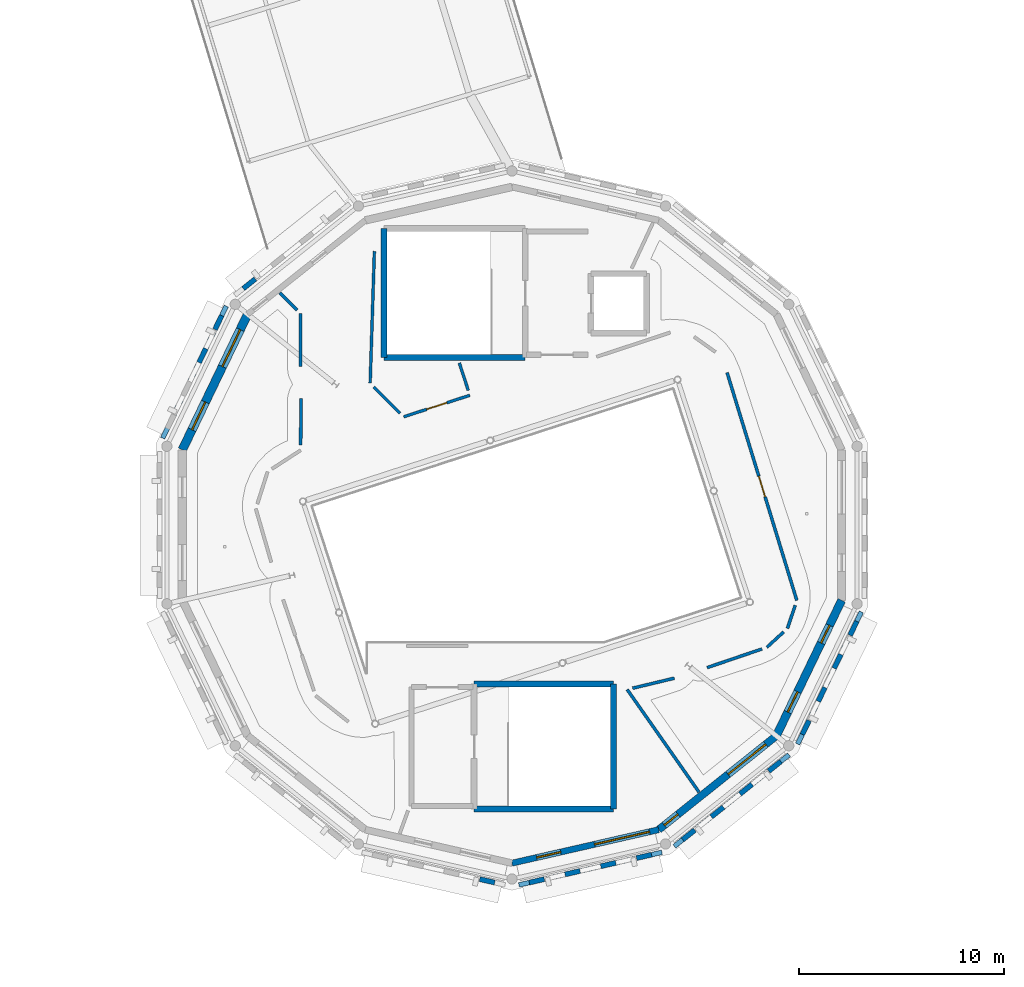
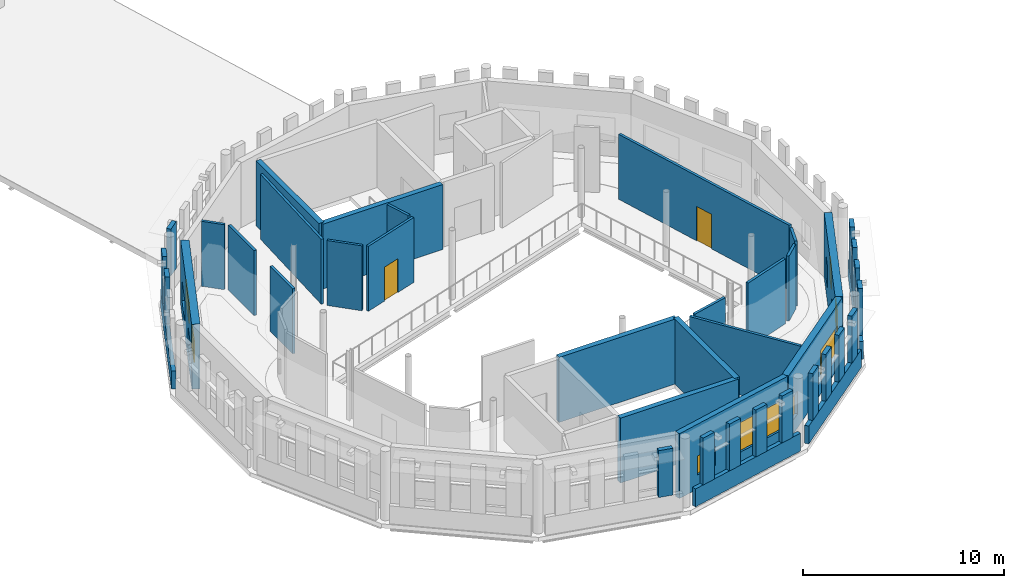
# One storey, part 36 of 68: 42 walls, 8 windows, 2 doors, 10 openings.
"""IFC4 building model written with IfcOpenShell, lengths in metres."""

import ifcopenshell
import ifcopenshell.guid

model = None  # the IFC model being written
_history = None  # IfcOwnerHistory: only IFC2X3 demands one
_inside = {}  # id of a spatial element -> (the spatial element, [elements in it])
_under = {}  # id of a project, library or spatial element -> (it, [spatial elements below it])
_declared = {}  # id of a project -> (the project, [libraries it declares])
_typed = {}  # id of a type object -> (the type object, [elements of that type])
_made_of = {}  # id of a material, layer set ... -> (it, [elements and type objects made of it])


def new_model(schema):
    """Start an empty IFC model of exactly this schema.

    Asked for "IFC4X3", IfcOpenShell would pick the latest addendum, in which some entities
    have other attributes; the version numbers below select the first issue.
    IFC2X3 requires an IfcOwnerHistory on every rooted entity: one is made here for all.
    """
    global model, _history
    if schema == "IFC4X3":
        model = ifcopenshell.file(schema_version=(4, 3, 0, 0))
    else:
        model = ifcopenshell.file(schema=schema)
    _inside.clear()
    _under.clear()
    _declared.clear()
    _typed.clear()
    _made_of.clear()
    _history = None
    if model.schema == "IFC2X3":
        org = make("IfcOrganization", Name="unknown")
        user = make(
            "IfcPersonAndOrganization",
            ThePerson=make("IfcPerson", FamilyName="unknown"),
            TheOrganization=org,
        )
        app = make(
            "IfcApplication",
            ApplicationDeveloper=org,
            Version="unknown",
            ApplicationFullName="unknown",
            ApplicationIdentifier="unknown",
        )
        _history = make(
            "IfcOwnerHistory",
            OwningUser=user,
            OwningApplication=app,
            ChangeAction="ADDED",
            CreationDate=0,
        )
    return model


def make(cls, **values):
    """One entity of the class cls with the attributes given. An attribute that is None is left unset."""
    return model.create_entity(
        cls, **{name: value for name, value in values.items() if value is not None}
    )


def rooted(cls, **values):
    """An entity with a GlobalId (a new one), such as an element, a storey or a relation."""
    return make(cls, GlobalId=ifcopenshell.guid.new(), OwnerHistory=_history, **values)


def si_unit(unit_type, name, prefix=None):
    """IfcSIUnit, for example si_unit("LENGTHUNIT", "METRE", prefix="MILLI")."""
    return make("IfcSIUnit", UnitType=unit_type, Prefix=prefix, Name=name)


def assignment(units):
    """IfcUnitAssignment: the units of a project."""
    return None if units is None else make("IfcUnitAssignment", Units=units)


def point(xyz):
    """IfcCartesianPoint."""
    return None if xyz is None else make("IfcCartesianPoint", Coordinates=xyz)


def direction(xyz):
    """IfcDirection."""
    return None if xyz is None else make("IfcDirection", DirectionRatios=xyz)


def frame(location, z_axis=None, x_axis=None):
    """IfcAxis2Placement3D, a coordinate frame: its origin and axes. An axis left out is left unset."""
    return make(
        "IfcAxis2Placement3D",
        Location=point(location),
        Axis=direction(z_axis),
        RefDirection=direction(x_axis),
    )


def frame_2d(location, x_axis=None):
    """IfcAxis2Placement2D, a coordinate frame in the plane: its origin and x axis."""
    return make(
        "IfcAxis2Placement2D", Location=point(location), RefDirection=direction(x_axis)
    )


def origin():
    """The frame at (0, 0, 0) with its axes left unset."""
    return frame((0.0, 0.0, 0.0))


def place(relative_to, where):
    """IfcLocalPlacement: puts the frame where relative to a parent placement (None: the world)."""
    return make(
        "IfcLocalPlacement", PlacementRelTo=relative_to, RelativePlacement=where
    )


def context(
    kind, dimensions, precision=None, world=None, true_north=None, identifier=None
):
    """IfcGeometricRepresentationContext, for example the 3D "Model" context."""
    return make(
        "IfcGeometricRepresentationContext",
        ContextIdentifier=identifier,
        ContextType=kind,
        CoordinateSpaceDimension=dimensions,
        Precision=precision,
        WorldCoordinateSystem=world,
        TrueNorth=true_north,
    )


def subcontext(parent, identifier, kind, view, scale=None):
    """IfcGeometricRepresentationSubContext, for example "Body" below "Model"."""
    return make(
        "IfcGeometricRepresentationSubContext",
        ContextIdentifier=identifier,
        ContextType=kind,
        ParentContext=parent,
        TargetScale=scale,
        TargetView=view,
    )


def project(units=None, contexts=None):
    """IfcProject with its units and contexts."""
    return rooted(
        "IfcProject",
        Name="project",
        RepresentationContexts=contexts,
        UnitsInContext=assignment(units),
    )


def spatial(cls, under=None, at=None, **own):
    """A site, building, storey or space (cls), placed at a placement, below another one or the project."""
    s = rooted(cls, ObjectPlacement=at, **own)
    if under is not None:
        _under.setdefault(under.id(), (under, []))[1].append(s)
    return s


def profile(cls, at=None, kind="AREA", **sizes):
    """A parametric profile (cls). Its sizes go by their IFC names, for example OverallWidth=200.0."""
    return make(cls, ProfileType=kind, Position=at, **sizes)


def rectangle(**sizes):
    """IfcRectangleProfileDef."""
    return profile("IfcRectangleProfileDef", **sizes)


def extrude(swept, where, along, depth):
    """IfcExtrudedAreaSolid: the profile swept, set in the frame where, extruded along a direction by depth."""
    return make(
        "IfcExtrudedAreaSolid",
        SweptArea=swept,
        Position=where,
        ExtrudedDirection=direction(along),
        Depth=depth,
    )


def shape(context_of_items, identifier, shape_type, items):
    """IfcShapeRepresentation: the items that make up one representation, for example the "Body"."""
    return make(
        "IfcShapeRepresentation",
        ContextOfItems=context_of_items,
        RepresentationIdentifier=identifier,
        RepresentationType=shape_type,
        Items=items,
    )


def material(Name=None, Category=None):
    """IfcMaterial."""
    return make("IfcMaterial", Name=Name, Category=Category)


def layer(
    of_material, thickness, ventilated=None, Name=None, Category=None, Priority=None
):
    """IfcMaterialLayer: one layer of a wall or slab, of a material (None: an air gap)."""
    return make(
        "IfcMaterialLayer",
        Material=of_material,
        LayerThickness=thickness,
        IsVentilated=ventilated,
        Name=Name,
        Category=Category,
        Priority=Priority,
    )


def layer_set(layers, Name=None):
    """IfcMaterialLayerSet."""
    return make("IfcMaterialLayerSet", MaterialLayers=layers, LayerSetName=Name)


def made_of(thing, what):
    """Note that an element or type object is made of a material, layer set ...; save() writes the relation."""
    if what is not None:
        _made_of.setdefault(what.id(), (what, []))[1].append(thing)
    return thing


def type_object(cls, material=None, **own):
    """A type object (cls), such as IfcWallType, which elements share."""
    return made_of(rooted(cls, **own), material)


def element(
    cls,
    number,
    at=None,
    inside=None,
    cuts=None,
    type_object=None,
    material=None,
    context=None,
    identifier="Body",
    shape_type=None,
    held_by="IfcProductDefinitionShape",
    body=None,
    shapes=None,
    **own,
):
    """One element of the class cls, such as IfcWall. Its Tag is "e" and its number.

    at: its placement. inside: the storey or other place that contains it. cuts: it is an
    opening in that element (IfcRelVoidsElement). A single representation is given by context,
    identifier, shape_type and body (its items); several are given by shapes. held_by: the class
    of the entity that holds the representations. save() writes the other relations.
    """
    e = rooted(cls, Tag="e%d" % number, ObjectPlacement=at, **own)
    if body is not None:
        shapes = [shape(context, identifier, shape_type, body)]
    if shapes is not None:
        e.Representation = make(held_by, Representations=shapes)
    if inside is not None:
        _inside.setdefault(inside.id(), (inside, []))[1].append(e)
    if cuts is not None:
        rooted(
            "IfcRelVoidsElement", RelatingBuildingElement=cuts, RelatedOpeningElement=e
        )
    if type_object is not None:
        _typed.setdefault(type_object.id(), (type_object, []))[1].append(e)
    return made_of(e, material)


def fill(opening, filler):
    """IfcRelFillsElement: the door or window that sits in an opening."""
    return rooted(
        "IfcRelFillsElement",
        RelatingOpeningElement=opening,
        RelatedBuildingElement=filler,
    )


def aggregate(whole, parts):
    """IfcRelAggregates: a whole, such as a stair, and the parts it consists of."""
    return rooted("IfcRelAggregates", RelatingObject=whole, RelatedObjects=parts)


def save(model, path):
    """Write the relations noted so far, then the file.

    IfcRelAggregates (storeys below a building ...), IfcRelContainedInSpatialStructure (elements
    in a storey), IfcRelDefinesByType, IfcRelAssociatesMaterial and IfcRelDeclares: one each for
    every whole, place, type object, material and project.
    """
    for whole, parts in _under.values():
        aggregate(whole, parts)
    for where, things in _inside.values():
        rooted(
            "IfcRelContainedInSpatialStructure",
            RelatedElements=things,
            RelatingStructure=where,
        )
    for kind, things in _typed.values():
        rooted("IfcRelDefinesByType", RelatedObjects=things, RelatingType=kind)
    for what, things in _made_of.values():
        rooted("IfcRelAssociatesMaterial", RelatedObjects=things, RelatingMaterial=what)
    for by, libraries in _declared.values():
        rooted("IfcRelDeclares", RelatingContext=by, RelatedDefinitions=libraries)
    model.write(path)


model = new_model("IFC4")

# Units and contexts
model_context = context("Model", 3, precision=1e-05, world=origin(), true_north=direction((0.0, 1.0)))
body_context = subcontext(model_context, "Body", "Model", "MODEL_VIEW")
ifc_project = project(units=[si_unit("LENGTHUNIT", "METRE"), si_unit("AREAUNIT", "SQUARE_METRE"), si_unit("VOLUMEUNIT", "CUBIC_METRE"), si_unit("PLANEANGLEUNIT", "RADIAN"), si_unit("MASSUNIT", "GRAM", prefix="KILO")], contexts=[model_context])

# Site, building, storey
site_placement = place(None, origin())
site = spatial("IfcSite", under=ifc_project, at=site_placement, CompositionType="ELEMENT")
building_placement = place(site_placement, origin())
building = spatial("IfcBuilding", under=site, at=building_placement, Name="Wrenclough Park School", CompositionType="ELEMENT")
storey_placement = place(building_placement, frame((0.0, 0.0, 12.60009765625)))
storey = spatial("IfcBuildingStorey", under=building, at=storey_placement, Name="L03", CompositionType="ELEMENT", Elevation=12.60009765625)

# Walls
ifc_material_1 = material(Name="Perforated open-bond Staffordshire and Manchester brick screen pier", Category="masonry")
ifc_layer_1 = layer(ifc_material_1, 0.2451171875)
ifc_layer_set_1 = layer_set([ifc_layer_1], Name="Perforated open-bond Staffordshire and Manchester brick screen pier")
wall_type_1 = type_object("IfcWallType", Name="ENV-BS-PR245", PredefinedType="ELEMENTEDWALL", material=ifc_layer_set_1)
for number, where, z_axis, x_axis, name in (
    (1, (23.98974609375, 35.489501953125, 1.08984375), (0.0, 0.0, 1.0), (-0.781915748527, -0.623384120912, 0.0), "D2 L03 perforated brick screen pier 0722"),
    (2, (22.352294921875, 33.70361328125, 1.08984375), (0.0, 0.0, 1.0), (-0.433619849257, -0.90109590296, 0.0), "D2 L03 perforated brick screen pier 0723"),
    (3, (21.5771484375, 32.093994140625, 1.08984375), (0.0, 0.0, 1.0), (-0.433884123593, -0.900968682749, 0.0), "D2 L03 perforated brick screen pier 0724"),
    (4, (34.92578125, 6.243896484375, 1.08984375), (0.0, 0.0, 1.0), (0.974969505796, -0.222338621856, 0.0), "D2 L03 perforated brick screen pier 0742"),
    (5, (37.343017578125, 6.076904296875, 1.08984375), (0.0, 0.0, 1.0), (0.974898895053, 0.222648028119, 0.0), "D2 L03 perforated brick screen pier 0743"),
    (6, (39.084716796875, 6.474609375, 1.08984375), (0.0, 0.0, 1.0), (0.974898895053, 0.222648028119, 0.0), "D2 L03 perforated brick screen pier 0744"),
    (7, (40.82666015625, 6.8720703125, 1.08984375), (0.0, 0.0, 1.0), (0.974898895053, 0.222648028119, 0.0), "D2 L03 perforated brick screen pier 0745"),
    (8, (42.568359375, 7.269775390625, 1.08984375), (0.0, 0.0, 1.0), (0.974969505796, 0.222338621856, 0.0), "D2 L03 perforated brick screen pier 0746"),
):
    element("IfcWall", number, at=place(storey_placement, frame(where, z_axis=z_axis, x_axis=x_axis)), inside=storey, type_object=wall_type_1, Name=name, PredefinedType="ELEMENTEDWALL", context=body_context, shape_type="SweptSolid", body=[
        extrude(rectangle(XDim=0.75, YDim=0.2451171875, at=frame_2d((0.375, 0.0))), origin(), (0.0, 0.0, 1.0), 2.85009765625),
    ])
for number, where, z_axis, x_axis, name in (
    (9, (44.818359375, 8.16748046875, 1.08984375), (0.0, 0.0, 1.0), (0.781819359776, 0.623505002931, 0.0), "D2 L03 perforated brick screen pier 0747"),
    (10, (46.215576171875, 9.28173828125, 1.08984375), (0.0, 0.0, 1.0), (0.781819359776, 0.623505002931, 0.0), "D2 L03 perforated brick screen pier 0748"),
    (11, (47.612548828125, 10.39599609375, 1.08984375), (0.0, 0.0, 1.0), (0.781819359776, 0.623505002931, 0.0), "D2 L03 perforated brick screen pier 0749"),
    (12, (49.009765625, 11.510009765625, 1.08984375), (0.0, 0.0, 1.0), (0.781819359776, 0.623505002931, 0.0), "D2 L03 perforated brick screen pier 0750"),
):
    element("IfcWall", number, at=place(storey_placement, frame(where, z_axis=z_axis, x_axis=x_axis)), inside=storey, type_object=wall_type_1, Name=name, PredefinedType="ELEMENTEDWALL", context=body_context, shape_type="SweptSolid", body=[
        extrude(rectangle(XDim=0.7509765625, YDim=0.2451171875, at=frame_2d((0.37548828125, 0.0))), origin(), (0.0, 0.0, 1.0), 2.85009765625),
    ])
for number, where, z_axis, x_axis, name in (
    (13, (50.647705078125, 13.29638671875, 1.08984375), (0.0, 0.0, 1.0), (0.433619849257, 0.90109590296, 0.0), "D2 L03 perforated brick screen pier 0751"),
    (14, (51.4228515625, 14.90625, 1.08984375), (0.0, 0.0, 1.0), (0.433884123593, 0.900968682749, 0.0), "D2 L03 perforated brick screen pier 0752"),
    (15, (52.197998046875, 16.51611328125, 1.08984375), (0.0, 0.0, 1.0), (0.433884123593, 0.900968682749, 0.0), "D2 L03 perforated brick screen pier 0753"),
    (16, (52.973388671875, 18.1259765625, 1.08984375), (0.0, 0.0, 1.0), (0.433884123593, 0.900968682749, 0.0), "D2 L03 perforated brick screen pier 0754"),
):
    element("IfcWall", number, at=place(storey_placement, frame(where, z_axis=z_axis, x_axis=x_axis)), inside=storey, type_object=wall_type_1, Name=name, PredefinedType="ELEMENTEDWALL", context=body_context, shape_type="SweptSolid", body=[
        extrude(rectangle(XDim=0.75, YDim=0.2451171875, at=frame_2d((0.375, 0.0))), origin(), (0.0, 0.0, 1.0), 2.85009765625),
    ])
ifc_material_2 = material(Name="Open-bond Manchester multi-stock brick spandrel screen", Category="masonry")
ifc_layer_2 = layer(ifc_material_2, 0.22509765625)
ifc_layer_set_2 = layer_set([ifc_layer_2], Name="Open-bond Manchester multi-stock brick spandrel screen")
wall_type_2 = type_object("IfcWallType", Name="ENV-BS-SP225", PredefinedType="ELEMENTEDWALL", material=ifc_layer_set_2)
wall_1_placement = place(storey_placement, frame((22.577392578125, 34.170654296875, 0.0), z_axis=(0.0, 0.0, 1.0), x_axis=(-0.433882380434, -0.900969522209, 0.0)))
element("IfcWall", 17, at=wall_1_placement, inside=storey, type_object=wall_type_2, Name="D2 L03 open-bond brick screen spandrel 0194", PredefinedType="ELEMENTEDWALL", context=body_context, shape_type="SweptSolid", body=[
    extrude(rectangle(XDim=7.146728515625, YDim=0.22509765625, at=frame_2d((3.5732421875, 0.0))), origin(), (0.0, 0.0, 1.0), 1.08984375),
])
wall_2_placement = place(storey_placement, frame((36.837646484375, 5.961669921875, 0.0), z_axis=(0.0, 0.0, 1.0), x_axis=(0.974925038555, 0.222533523763, 0.0)))
element("IfcWall", 18, at=wall_2_placement, inside=storey, type_object=wall_type_2, Name="D2 L03 open-bond brick screen spandrel 0199", PredefinedType="ELEMENTEDWALL", context=body_context, shape_type="SweptSolid", body=[
    extrude(rectangle(XDim=7.146484375, YDim=0.22509765625, at=frame_2d((3.5732421875, 0.0))), origin(), (0.0, 0.0, 1.0), 1.08984375),
])
wall_3_placement = place(storey_placement, frame((44.413330078125, 7.844482421875, 0.0), z_axis=(0.0, 0.0, 1.0), x_axis=(0.781830872194, 0.623490567118, 0.0)))
element("IfcWall", 19, at=wall_3_placement, inside=storey, type_object=wall_type_2, Name="D2 L03 open-bond brick screen spandrel 0200", PredefinedType="ELEMENTEDWALL", context=body_context, shape_type="SweptSolid", body=[
    extrude(rectangle(XDim=7.148193359375, YDim=0.22509765625, at=frame_2d((3.57421875, 0.0))), origin(), (0.0, 0.0, 1.0), 1.08984375),
])
wall_4_placement = place(storey_placement, frame((50.422607421875, 12.829345703125, 0.0), z_axis=(0.0, 0.0, 1.0), x_axis=(0.433883402341, 0.900969030085, 0.0)))
element("IfcWall", 20, at=wall_4_placement, inside=storey, type_object=wall_type_2, Name="D2 L03 open-bond brick screen spandrel 0201", PredefinedType="ELEMENTEDWALL", context=body_context, shape_type="SweptSolid", body=[
    extrude(rectangle(XDim=7.147216796875, YDim=0.22509765625, at=frame_2d((3.57373046875, 0.0))), origin(), (0.0, 0.0, 1.0), 1.08984375),
])

# Wall, openings, windows
ifc_material_3 = material(Name="Manchester multi-stock brick and Concrete C32/40 inner leaf", Category="masonry")
ifc_layer_3 = layer(ifc_material_3, 0.300048828125)
ifc_layer_set_3 = layer_set([ifc_layer_3], Name="Manchester multi-stock brick and Concrete C32/40 inner leaf")
wall_type_3 = type_object("IfcWallType", Name="ENV-EW-300", PredefinedType="SOLIDWALL", material=ifc_layer_set_3)
wall_5_placement = place(storey_placement, frame((43.649169921875, 8.65478515625, 0.0), z_axis=(0.0, 0.0, 1.0), x_axis=(-0.974932633187, -0.222500248868, 0.0)))
wall_5 = element("IfcWall", 21, at=wall_5_placement, inside=storey, type_object=wall_type_3, Name="L03 insulated brick external wall 0320", PredefinedType="SOLIDWALL", context=body_context, shape_type="SweptSolid", body=[
    extrude(rectangle(XDim=7.3330078125, YDim=0.300048828125, at=frame_2d((3.66650390625, 0.0))), origin(), (0.0, 0.0, 1.0), 3.93994140625),
])
opening_1_placement = place(wall_5_placement, frame((0.458251953125, 0.0, 0.85009765625)))
opening_1 = element("IfcOpeningElement", 22, at=opening_1_placement, cuts=wall_5, Name="Opening WN-36", PredefinedType="OPENING", context=body_context, shape_type="SweptSolid", body=[
    extrude(rectangle(XDim=2.75, YDim=1.800048828125, at=frame_2d((1.375, 0.89990234375))), frame((0.0, 0.159912109375, 0.0), z_axis=(0.0, -1.0, 0.0), x_axis=(1.0, 0.0, 0.0)), (0.0, 0.0, 1.0), 0.320068359375),
])
opening_2_placement = place(wall_5_placement, frame((4.899658203125, 0.0, 0.85009765625)))
opening_2 = element("IfcOpeningElement", 23, at=opening_2_placement, cuts=wall_5, Name="Opening WN-37", PredefinedType="OPENING", context=body_context, shape_type="SweptSolid", body=[
    extrude(rectangle(XDim=1.199951171875, YDim=1.14990234375, at=frame_2d((0.60009765625, 0.574951171875))), frame((0.0, 0.159912109375, 0.0), z_axis=(0.0, -1.0, 0.0), x_axis=(1.0, 0.0, 0.0)), (0.0, 0.0, 1.0), 0.320068359375),
])
ifc_material_4 = material(Name="Thermally broken aluminium and double-glazed low-e glass", Category="aluminium")
window_type_1 = type_object("IfcWindowType", Name="ENV-WN-36", PartitioningType="DOUBLE_PANEL_VERTICAL", PredefinedType="WINDOW", material=ifc_material_4)
window_1_placement = place(opening_1_placement, origin())
window_1 = element("IfcWindow", 24, at=window_1_placement, inside=storey, type_object=window_type_1, Name="L03 scheduled facade window 0539", OverallHeight=1.800048828125, OverallWidth=2.75, PartitioningType="SINGLE_PANEL", PredefinedType="WINDOW", context=body_context, shape_type="SweptSolid", body=[
    extrude(rectangle(XDim=2.75, YDim=1.800048828125, at=frame_2d((1.375, 0.89990234375))), frame((0.0, 0.030029296875, 0.0), z_axis=(0.0, -1.0, 0.0), x_axis=(1.0, 0.0, 0.0)), (0.0, 0.0, 1.0), 0.06005859375),
])
fill(opening_1, window_1)
window_type_2 = type_object("IfcWindowType", Name="ENV-WN-37", PartitioningType="SINGLE_PANEL", PredefinedType="WINDOW", material=ifc_material_4)
window_2_placement = place(opening_2_placement, origin())
window_2 = element("IfcWindow", 25, at=window_2_placement, inside=storey, type_object=window_type_2, Name="L03 scheduled facade window 0540", OverallHeight=1.14990234375, OverallWidth=1.199951171875, PartitioningType="SINGLE_PANEL", PredefinedType="WINDOW", context=body_context, shape_type="SweptSolid", body=[
    extrude(rectangle(XDim=1.199951171875, YDim=1.14990234375, at=frame_2d((0.60009765625, 0.574951171875))), frame((0.0, 0.030029296875, 0.0), z_axis=(0.0, -1.0, 0.0), x_axis=(1.0, 0.0, 0.0)), (0.0, 0.0, 1.0), 0.06005859375),
])
fill(opening_2, window_2)

ifc_material_5 = material(Name="Faceted courtyard brick-cavity wall Concrete C35/45", Category="masonry")
ifc_layer_4 = layer(ifc_material_5, 0.364990234375)
ifc_layer_set_4 = layer_set([ifc_layer_4], Name="Faceted courtyard brick-cavity wall Concrete C35/45")
wall_type_4 = type_object("IfcWallType", Name="ENV-EW-365", PredefinedType="SOLIDWALL", material=ifc_layer_set_4)
wall_6_placement = place(storey_placement, frame((49.382080078125, 13.226806640625, 0.0), z_axis=(0.0, 0.0, 1.0), x_axis=(-0.781819636461, -0.623504655992, 0.0)))
wall_6 = element("IfcWall", 26, at=wall_6_placement, inside=storey, type_object=wall_type_4, Name="L03 insulated brick external wall 0319", PredefinedType="SOLIDWALL", context=body_context, shape_type="SweptSolid", body=[
    extrude(rectangle(XDim=7.332763671875, YDim=0.364990234375, at=frame_2d((3.66650390625, 0.0))), origin(), (0.0, 0.0, 1.0), 3.93994140625),
])
opening_3_placement = place(wall_6_placement, frame((0.658203125, 0.0, 0.85009765625)))
opening_3 = element("IfcOpeningElement", 27, at=opening_3_placement, cuts=wall_6, Name="Opening WN-34", PredefinedType="OPENING", context=body_context, shape_type="SweptSolid", body=[
    extrude(rectangle(XDim=2.35009765625, YDim=1.800048828125, at=frame_2d((1.175048828125, 0.89990234375))), frame((0.0, 0.1923828125, 0.0), z_axis=(0.0, -1.0, 0.0), x_axis=(1.0, 0.0, 0.0)), (0.0, 0.0, 1.0), 0.385009765625),
])
opening_4_placement = place(wall_6_placement, frame((6.1328125, 0.0, 0.85009765625)))
opening_4 = element("IfcOpeningElement", 28, at=opening_4_placement, cuts=wall_6, Name="Opening WN-01", PredefinedType="OPENING", context=body_context, shape_type="SweptSolid", body=[
    extrude(rectangle(XDim=0.85009765625, YDim=1.39990234375, at=frame_2d((0.425048828125, 0.699951171875))), frame((0.0, 0.1923828125, 0.0), z_axis=(0.0, -1.0, 0.0), x_axis=(1.0, 0.0, 0.0)), (0.0, 0.0, 1.0), 0.385009765625),
])
window_type_3 = type_object("IfcWindowType", Name="ENV-WN-01", PartitioningType="SINGLE_PANEL", PredefinedType="WINDOW", material=ifc_material_4)
window_3_placement = place(opening_4_placement, origin())
window_3 = element("IfcWindow", 29, at=window_3_placement, inside=storey, type_object=window_type_3, Name="L03 scheduled facade window 0538", OverallHeight=1.39990234375, OverallWidth=0.85009765625, PartitioningType="SINGLE_PANEL", PredefinedType="WINDOW", context=body_context, shape_type="SweptSolid", body=[
    extrude(rectangle(XDim=0.85009765625, YDim=1.39990234375, at=frame_2d((0.425048828125, 0.699951171875))), frame((0.0, 0.030029296875, 0.0), z_axis=(0.0, -1.0, 0.0), x_axis=(1.0, 0.0, 0.0)), (0.0, 0.0, 1.0), 0.06005859375),
])
fill(opening_4, window_3)
window_type_4 = type_object("IfcWindowType", Name="ENV-WN-34", PartitioningType="DOUBLE_PANEL_VERTICAL", PredefinedType="WINDOW", material=ifc_material_4)
window_4_placement = place(opening_3_placement, origin())
window_4 = element("IfcWindow", 30, at=window_4_placement, inside=storey, type_object=window_type_4, Name="L03 scheduled facade window 0537", OverallHeight=1.800048828125, OverallWidth=2.35009765625, PartitioningType="SINGLE_PANEL", PredefinedType="WINDOW", context=body_context, shape_type="SweptSolid", body=[
    extrude(rectangle(XDim=2.35009765625, YDim=1.800048828125, at=frame_2d((1.175048828125, 0.89990234375))), frame((0.0, 0.030029296875, 0.0), z_axis=(0.0, -1.0, 0.0), x_axis=(1.0, 0.0, 0.0)), (0.0, 0.0, 1.0), 0.06005859375),
])
fill(opening_3, window_4)

ifc_material_6 = material(Name="Staffordshire blue-grey brick and Concrete C40/50 acoustic leaf", Category="masonry")
ifc_layer_5 = layer(ifc_material_6, 0.39990234375)
ifc_layer_set_5 = layer_set([ifc_layer_5], Name="Staffordshire blue-grey brick and Concrete C40/50 acoustic leaf")
wall_type_5 = type_object("IfcWallType", Name="ENV-EW-400", PredefinedType="SOLIDWALL", material=ifc_layer_set_5)
wall_7_placement = place(storey_placement, frame((52.563720703125, 19.83349609375, 0.0), z_axis=(0.0, 0.0, 1.0), x_axis=(-0.433886691468, -0.900967446119, 0.0)))
wall_7 = element("IfcWall", 31, at=wall_7_placement, inside=storey, type_object=wall_type_5, Name="L03 insulated brick external wall 0332", PredefinedType="SOLIDWALL", context=body_context, shape_type="SweptSolid", body=[
    extrude(rectangle(XDim=7.332763671875, YDim=0.39990234375, at=frame_2d((3.66650390625, 0.0))), origin(), (0.0, 0.0, 1.0), 3.93994140625),
])
opening_5_placement = place(wall_7_placement, frame((1.3583984375, 0.0, 0.85009765625)))
opening_5 = element("IfcOpeningElement", 32, at=opening_5_placement, cuts=wall_7, Name="Opening WN-02", PredefinedType="OPENING", context=body_context, shape_type="SweptSolid", body=[
    extrude(rectangle(XDim=0.949951171875, YDim=1.39990234375, at=frame_2d((0.47509765625, 0.699951171875))), frame((0.0, 0.2099609375, 0.0), z_axis=(0.0, -1.0, 0.0), x_axis=(1.0, 0.0, 0.0)), (0.0, 0.0, 1.0), 0.419921875),
])
opening_6_placement = place(wall_7_placement, frame((4.94970703125, 0.0, 0.85009765625)))
opening_6 = element("IfcOpeningElement", 33, at=opening_6_placement, cuts=wall_7, Name="Opening WN-03", PredefinedType="OPENING", context=body_context, shape_type="SweptSolid", body=[
    extrude(rectangle(XDim=1.10009765625, YDim=1.39990234375, at=frame_2d((0.550048828125, 0.699951171875))), frame((0.0, 0.2099609375, 0.0), z_axis=(0.0, -1.0, 0.0), x_axis=(1.0, 0.0, 0.0)), (0.0, 0.0, 1.0), 0.419921875),
])
window_type_5 = type_object("IfcWindowType", Name="ENV-WN-02", PartitioningType="SINGLE_PANEL", PredefinedType="WINDOW", material=ifc_material_4)
window_5_placement = place(opening_5_placement, origin())
window_5 = element("IfcWindow", 34, at=window_5_placement, inside=storey, type_object=window_type_5, Name="L03 scheduled facade window 0561", OverallHeight=1.39990234375, OverallWidth=0.949951171875, PartitioningType="SINGLE_PANEL", PredefinedType="WINDOW", context=body_context, shape_type="SweptSolid", body=[
    extrude(rectangle(XDim=0.949951171875, YDim=1.39990234375, at=frame_2d((0.47509765625, 0.699951171875))), frame((0.0, 0.030029296875, 0.0), z_axis=(0.0, -1.0, 0.0), x_axis=(1.0, 0.0, 0.0)), (0.0, 0.0, 1.0), 0.06005859375),
])
fill(opening_5, window_5)
window_type_6 = type_object("IfcWindowType", Name="ENV-WN-03", PartitioningType="SINGLE_PANEL", PredefinedType="WINDOW", material=ifc_material_4)
window_6_placement = place(opening_6_placement, origin())
window_6 = element("IfcWindow", 35, at=window_6_placement, inside=storey, type_object=window_type_6, Name="L03 scheduled facade window 0562", OverallHeight=1.39990234375, OverallWidth=1.10009765625, PartitioningType="SINGLE_PANEL", PredefinedType="WINDOW", context=body_context, shape_type="SweptSolid", body=[
    extrude(rectangle(XDim=1.10009765625, YDim=1.39990234375, at=frame_2d((0.550048828125, 0.699951171875))), frame((0.0, 0.030029296875, 0.0), z_axis=(0.0, -1.0, 0.0), x_axis=(1.0, 0.0, 0.0)), (0.0, 0.0, 1.0), 0.06005859375),
])
fill(opening_6, window_6)

ifc_material_7 = material(Name="Insulated brick-clad sports hall wall Concrete C40/50", Category="masonry")
ifc_layer_6 = layer(ifc_material_7, 0.425048828125)
ifc_layer_set_6 = layer_set([ifc_layer_6], Name="Insulated brick-clad sports hall wall Concrete C40/50")
wall_type_6 = type_object("IfcWallType", Name="ENV-EW-425", PredefinedType="SOLIDWALL", material=ifc_layer_set_6)
wall_8_placement = place(storey_placement, frame((20.436279296875, 27.16650390625, 0.0), z_axis=(0.0, 0.0, 1.0), x_axis=(0.433886691468, 0.900967446119, 0.0)))
wall_8 = element("IfcWall", 36, at=wall_8_placement, inside=storey, type_object=wall_type_6, Name="L03 insulated brick external wall 0325", PredefinedType="SOLIDWALL", context=body_context, shape_type="SweptSolid", body=[
    extrude(rectangle(XDim=7.332763671875, YDim=0.425048828125, at=frame_2d((3.66650390625, 0.0))), origin(), (0.0, 0.0, 1.0), 3.93994140625),
])
opening_7_placement = place(wall_8_placement, frame((1.083251953125, 0.0, 0.85009765625)))
opening_7 = element("IfcOpeningElement", 37, at=opening_7_placement, cuts=wall_8, Name="Opening WN-46", PredefinedType="OPENING", context=body_context, shape_type="SweptSolid", body=[
    extrude(rectangle(XDim=1.5, YDim=1.300048828125, at=frame_2d((0.75, 0.64990234375))), frame((0.0, 0.222412109375, 0.0), z_axis=(0.0, -1.0, 0.0), x_axis=(1.0, 0.0, 0.0)), (0.0, 0.0, 1.0), 0.445068359375),
])
opening_8_placement = place(wall_8_placement, frame((4.499755859375, 0.0, 0.85009765625)))
opening_8 = element("IfcOpeningElement", 38, at=opening_8_placement, cuts=wall_8, Name="Opening WN-47", PredefinedType="OPENING", context=body_context, shape_type="SweptSolid", body=[
    extrude(rectangle(XDim=2.0, YDim=1.300048828125, at=frame_2d((1.0, 0.64990234375))), frame((0.0, 0.222412109375, 0.0), z_axis=(0.0, -1.0, 0.0), x_axis=(1.0, 0.0, 0.0)), (0.0, 0.0, 1.0), 0.445068359375),
])
window_type_7 = type_object("IfcWindowType", Name="ENV-WN-46", PartitioningType="DOUBLE_PANEL_VERTICAL", PredefinedType="WINDOW", material=ifc_material_4)
window_7_placement = place(opening_7_placement, origin())
window_7 = element("IfcWindow", 39, at=window_7_placement, inside=storey, type_object=window_type_7, Name="L03 scheduled facade window 0549", OverallHeight=1.300048828125, OverallWidth=1.5, PartitioningType="SINGLE_PANEL", PredefinedType="WINDOW", context=body_context, shape_type="SweptSolid", body=[
    extrude(rectangle(XDim=1.5, YDim=1.300048828125, at=frame_2d((0.75, 0.64990234375))), frame((0.0, 0.030029296875, 0.0), z_axis=(0.0, -1.0, 0.0), x_axis=(1.0, 0.0, 0.0)), (0.0, 0.0, 1.0), 0.06005859375),
])
fill(opening_7, window_7)
window_type_8 = type_object("IfcWindowType", Name="ENV-WN-47", PartitioningType="DOUBLE_PANEL_VERTICAL", PredefinedType="WINDOW", material=ifc_material_4)
window_8_placement = place(opening_8_placement, origin())
window_8 = element("IfcWindow", 40, at=window_8_placement, inside=storey, type_object=window_type_8, Name="L03 scheduled facade window 0550", OverallHeight=1.300048828125, OverallWidth=2.0, PartitioningType="SINGLE_PANEL", PredefinedType="WINDOW", context=body_context, shape_type="SweptSolid", body=[
    extrude(rectangle(XDim=2.0, YDim=1.300048828125, at=frame_2d((1.0, 0.64990234375))), frame((0.0, 0.030029296875, 0.0), z_axis=(0.0, -1.0, 0.0), x_axis=(1.0, 0.0, 0.0)), (0.0, 0.0, 1.0), 0.06005859375),
])
fill(opening_8, window_8)

# Walls
ifc_material_8 = material(Name="Concrete C40/50", Category="concrete")
ifc_layer_7 = layer(ifc_material_8, 0.2900390625)
ifc_layer_set_7 = layer_set([ifc_layer_7], Name="Concrete C40/50")
wall_type_7 = type_object("IfcWallType", Name="INT-CW-290", PredefinedType="SHEAR", material=ifc_layer_set_7)
wall_9_placement = place(storey_placement, frame((30.2548828125, 31.655029296875, 0.0), z_axis=(0.0, 0.0, 1.0), x_axis=(1.0, 0.0, 0.0)))
element("IfcWall", 41, at=wall_9_placement, inside=storey, type_object=wall_type_7, Name="Core C2 L03 south shear wall", PredefinedType="SHEAR", context=body_context, shape_type="SweptSolid", body=[
    extrude(rectangle(XDim=6.89013671875, YDim=0.2900390625, at=frame_2d((3.445068359375, 0.0))), origin(), (0.0, 0.0, 1.0), 3.949951171875),
])
wall_10_placement = place(storey_placement, frame((30.2548828125, 37.945068359375, 0.0), z_axis=(0.0, 0.0, 1.0), x_axis=(0.0, -1.0, 0.0)))
element("IfcWall", 42, at=wall_10_placement, inside=storey, type_object=wall_type_7, Name="Core C2 L03 west shear wall", PredefinedType="SHEAR", context=body_context, shape_type="SweptSolid", body=[
    extrude(rectangle(XDim=6.2900390625, YDim=0.2900390625, at=frame_2d((3.14501953125, 0.0))), origin(), (0.0, 0.0, 1.0), 3.949951171875),
])
wall_11_placement = place(storey_placement, frame((34.655029296875, 9.655029296875, 0.0), z_axis=(0.0, 0.0, 1.0), x_axis=(1.0, 0.0, 0.0)))
element("IfcWall", 43, at=wall_11_placement, inside=storey, type_object=wall_type_7, Name="Core C2B L03 south shear wall", PredefinedType="SHEAR", context=body_context, shape_type="SweptSolid", body=[
    extrude(rectangle(XDim=6.7900390625, YDim=0.2900390625, at=frame_2d((3.39501953125, 0.0))), origin(), (0.0, 0.0, 1.0), 3.949951171875),
])
wall_12_placement = place(storey_placement, frame((41.445068359375, 9.655029296875, 0.0), z_axis=(0.0, 0.0, 1.0), x_axis=(0.0, 1.0, 0.0)))
element("IfcWall", 44, at=wall_12_placement, inside=storey, type_object=wall_type_7, Name="Core C2B L03 east shear wall", PredefinedType="SHEAR", context=body_context, shape_type="SweptSolid", body=[
    extrude(rectangle(XDim=6.090087890625, YDim=0.2900390625, at=frame_2d((3.044921875, 0.0))), origin(), (0.0, 0.0, 1.0), 3.949951171875),
])
wall_13_placement = place(storey_placement, frame((41.445068359375, 15.7451171875, 0.0), z_axis=(0.0, 0.0, 1.0), x_axis=(-1.0, 0.0, 0.0)))
element("IfcWall", 45, at=wall_13_placement, inside=storey, type_object=wall_type_7, Name="Core C2B L03 north shear wall", PredefinedType="SHEAR", context=body_context, shape_type="SweptSolid", body=[
    extrude(rectangle(XDim=6.7900390625, YDim=0.2900390625, at=frame_2d((3.39501953125, 0.0))), origin(), (0.0, 0.0, 1.0), 3.949951171875),
])
ifc_material_9 = material(Name="Protected corridor partition", Category="gypsum")
ifc_layer_8 = layer(ifc_material_9, 0.14990234375)
ifc_layer_set_8 = layer_set([ifc_layer_8], Name="Protected corridor partition")
wall_type_8 = type_object("IfcWallType", Name="INT-PW-150", PredefinedType="PARTITIONING", material=ifc_layer_set_8)
wall_14_placement = place(storey_placement, frame((26.199951171875, 31.232421875, 0.0), z_axis=(0.0, 0.0, 1.0), x_axis=(0.0, 1.0, 0.0)))
element("IfcWall", 46, at=wall_14_placement, inside=storey, type_object=wall_type_8, Name="L03 internal partition 0439", PredefinedType="PARTITIONING", context=body_context, shape_type="SweptSolid", body=[
    extrude(rectangle(XDim=2.567626953125, YDim=0.14990234375, at=frame_2d((1.28369140625, 0.0))), origin(), (0.0, 0.0, 1.0), 3.949951171875),
])
wall_15_placement = place(storey_placement, frame((26.023193359375, 33.976806640625, 0.0), z_axis=(0.0, 0.0, 1.0), x_axis=(-0.707106781187, 0.707106781187, 0.0)))
element("IfcWall", 47, at=wall_15_placement, inside=storey, type_object=wall_type_8, Name="L03 internal partition 0440", PredefinedType="PARTITIONING", context=body_context, shape_type="SweptSolid", body=[
    extrude(rectangle(XDim=1.185546875, YDim=0.14990234375, at=frame_2d((0.5927734375, 0.0))), origin(), (0.0, 0.0, 1.0), 3.949951171875),
])
wall_16_placement = place(storey_placement, frame((26.201904296875, 27.392578125, 0.0), z_axis=(0.0, 0.0, 1.0), x_axis=(0.006968845462, 0.999975717302, 0.0)))
element("IfcWall", 48, at=wall_16_placement, inside=storey, type_object=wall_type_8, Name="L03 internal partition 0448", PredefinedType="PARTITIONING", context=body_context, shape_type="SweptSolid", body=[
    extrude(rectangle(XDim=2.277099609375, YDim=0.14990234375, at=frame_2d((1.138671875, 0.0))), origin(), (0.0, 0.0, 1.0), 3.949951171875),
])
wall_17_placement = place(storey_placement, frame((42.112548828125, 15.484375, 0.0), z_axis=(0.0, 0.0, 1.0), x_axis=(0.573593915898, -0.8191398047, 0.0)))
element("IfcWall", 49, at=wall_17_placement, inside=storey, type_object=wall_type_8, Name="L03 internal partition 0449", PredefinedType="PARTITIONING", context=body_context, shape_type="SweptSolid", body=[
    extrude(rectangle(XDim=6.101806640625, YDim=0.14990234375, at=frame_2d((3.05078125, 0.0))), origin(), (0.0, 0.0, 1.0), 3.949951171875),
])

# Wall, opening, door
wall_18_placement = place(storey_placement, frame((46.981201171875, 30.92919921875, 0.0), z_axis=(0.0, 0.0, 1.0), x_axis=(0.292664455172, -0.956215204166, 0.0)))
wall_18 = element("IfcWall", 50, at=wall_18_placement, inside=storey, type_object=wall_type_8, Name="L03 internal partition 0453", PredefinedType="PARTITIONING", context=body_context, shape_type="SweptSolid", body=[
    extrude(rectangle(XDim=11.61376953125, YDim=0.14990234375, at=frame_2d((5.806884765625, 0.0))), origin(), (0.0, 0.0, 1.0), 3.949951171875),
])
opening_9_placement = place(wall_18_placement, frame((5.286865234375, 0.0, 0.0)))
opening_9 = element("IfcOpeningElement", 51, at=opening_9_placement, cuts=wall_18, Name="Opening DR-L03-089", PredefinedType="OPENING", context=body_context, shape_type="SweptSolid", body=[
    extrude(rectangle(XDim=1.0400390625, YDim=2.10009765625, at=frame_2d((0.52001953125, 1.050048828125))), frame((0.0, 0.0849609375, 0.0), z_axis=(0.0, -1.0, 0.0), x_axis=(1.0, 0.0, 0.0)), (0.0, 0.0, 1.0), 0.169921875),
])
ifc_material_10 = material(Name="SEN accessible teaching room door assembly", Category="wood")
door_type_1 = type_object("IfcDoorType", Name="INT-DR-CL104", OperationType="NOTDEFINED", PredefinedType="DOOR", material=ifc_material_10)
door_1_placement = place(opening_9_placement, origin())
door_1 = element("IfcDoor", 52, at=door_1_placement, inside=storey, type_object=door_type_1, Name="Performing Arts Seminar Room door DR-L03-089", OperationType="SINGLE_SWING_RIGHT", OverallHeight=2.10009765625, OverallWidth=1.0400390625, PredefinedType="DOOR", context=body_context, shape_type="SweptSolid", body=[
    extrude(rectangle(XDim=1.0400390625, YDim=2.10009765625, at=frame_2d((0.52001953125, 1.050048828125))), frame((0.0, 0.02490234375, 0.0), z_axis=(0.0, -1.0, 0.0), x_axis=(1.0, 0.0, 0.0)), (0.0, 0.0, 1.0), 0.050048828125),
])
fill(opening_9, door_1)

# Walls
wall_19_placement = place(storey_placement, frame((50.300537109375, 19.58740234375, 0.0), z_axis=(0.0, 0.0, 1.0), x_axis=(-0.318196579832, -0.948024755258, 0.0)))
element("IfcWall", 53, at=wall_19_placement, inside=storey, type_object=wall_type_8, Name="L03 internal partition 0454", PredefinedType="PARTITIONING", context=body_context, shape_type="SweptSolid", body=[
    extrude(rectangle(XDim=1.18994140625, YDim=0.14990234375, at=frame_2d((0.594970703125, 0.0))), origin(), (0.0, 0.0, 1.0), 3.949951171875),
])
wall_20_placement = place(storey_placement, frame((49.737548828125, 18.29052734375, 0.0), z_axis=(0.0, 0.0, 1.0), x_axis=(-0.737646920333, -0.675186656357, 0.0)))
element("IfcWall", 54, at=wall_20_placement, inside=storey, type_object=wall_type_8, Name="L03 internal partition 0455", PredefinedType="PARTITIONING", context=body_context, shape_type="SweptSolid", body=[
    extrude(rectangle(XDim=1.110107421875, YDim=0.14990234375, at=frame_2d((0.55517578125, 0.0))), origin(), (0.0, 0.0, 1.0), 3.949951171875),
])
wall_21_placement = place(storey_placement, frame((48.68212890625, 17.460693359375, 0.0), z_axis=(0.0, 0.0, 1.0), x_axis=(-0.946764313694, -0.321927529602, 0.0)))
element("IfcWall", 55, at=wall_21_placement, inside=storey, type_object=wall_type_8, Name="L03 internal partition 0456", PredefinedType="PARTITIONING", context=body_context, shape_type="SweptSolid", body=[
    extrude(rectangle(XDim=2.82421875, YDim=0.14990234375, at=frame_2d((1.412109375, 0.0))), origin(), (0.0, 0.0, 1.0), 3.949951171875),
])
wall_22_placement = place(storey_placement, frame((44.41650390625, 16.037353515625, 0.0), z_axis=(0.0, 0.0, 1.0), x_axis=(-0.972389411784, -0.233364161451, 0.0)))
element("IfcWall", 56, at=wall_22_placement, inside=storey, type_object=wall_type_8, Name="L03 internal partition 0457", PredefinedType="PARTITIONING", context=body_context, shape_type="SweptSolid", body=[
    extrude(rectangle(XDim=2.100830078125, YDim=0.14990234375, at=frame_2d((1.05029296875, 0.0))), origin(), (0.0, 0.0, 1.0), 3.949951171875),
])

# Wall, opening, door
ifc_material_11 = material(Name="Moisture-resistant sanitary service wall", Category="gypsum")
ifc_layer_9 = layer(ifc_material_11, 0.139892578125)
ifc_layer_set_9 = layer_set([ifc_layer_9], Name="Moisture-resistant sanitary service wall")
wall_type_9 = type_object("IfcWallType", Name="INT-SV-140", PredefinedType="PLUMBINGWALL", material=ifc_layer_set_9)
wall_23_placement = place(storey_placement, frame((31.224609375, 28.775390625, 0.0), z_axis=(0.0, 0.0, 1.0), x_axis=(0.951056314451, 0.309017615587, 0.0)))
wall_23 = element("IfcWall", 57, at=wall_23_placement, inside=storey, type_object=wall_type_9, Name="L03 internal partition 0458", PredefinedType="PLUMBINGWALL", context=body_context, shape_type="SweptSolid", body=[
    extrude(rectangle(XDim=3.386962890625, YDim=0.139892578125, at=frame_2d((1.693359375, 0.0))), origin(), (0.0, 0.0, 1.0), 3.949951171875),
])
opening_10_placement = place(wall_23_placement, frame((1.18359375, 0.0, 0.0)))
opening_10 = element("IfcOpeningElement", 58, at=opening_10_placement, cuts=wall_23, Name="Opening DR-L03-090", PredefinedType="OPENING", context=body_context, shape_type="SweptSolid", body=[
    extrude(rectangle(XDim=1.02001953125, YDim=2.06005859375, at=frame_2d((0.510009765625, 1.030029296875))), frame((0.0, 0.079833984375, 0.0), z_axis=(0.0, -1.0, 0.0), x_axis=(1.0, 0.0, 0.0)), (0.0, 0.0, 1.0), 0.159912109375),
])
ifc_material_12 = material(Name="Accessible WC outward-opening fire door assembly", Category="wood")
door_type_2 = type_object("IfcDoorType", Name="INT-DR-AWC102", OperationType="NOTDEFINED", PredefinedType="DOOR", material=ifc_material_12)
door_2_placement = place(opening_10_placement, frame((1.02001953125, 0.0, 0.0), z_axis=(0.0, 0.0, 1.0), x_axis=(-1.0, 0.0, 0.0)))
door_2 = element("IfcDoor", 59, at=door_2_placement, inside=storey, type_object=door_type_2, Name="Accessible WC D2 Third door DR-L03-090", OperationType="SINGLE_SWING_LEFT", OverallHeight=2.06005859375, OverallWidth=1.02001953125, PredefinedType="DOOR", context=body_context, shape_type="SweptSolid", body=[
    extrude(rectangle(XDim=1.02001953125, YDim=2.06005859375, at=frame_2d((0.510009765625, 1.030029296875))), frame((0.0, 0.02490234375, 0.0), z_axis=(0.0, -1.0, 0.0), x_axis=(1.0, 0.0, 0.0)), (0.0, 0.0, 1.0), 0.050048828125),
])
fill(opening_10, door_2)

# Walls
wall_24_placement = place(storey_placement, frame((34.36865234375, 30.059814453125, 0.0), z_axis=(0.0, 0.0, 1.0), x_axis=(-0.30909782547, 0.951030248883, 0.0)))
element("IfcWall", 60, at=wall_24_placement, inside=storey, type_object=wall_type_9, Name="L03 internal partition 0459", PredefinedType="PLUMBINGWALL", context=body_context, shape_type="SweptSolid", body=[
    extrude(rectangle(XDim=1.4091796875, YDim=0.139892578125, at=frame_2d((0.70458984375, 0.0))), origin(), (0.0, 0.0, 1.0), 3.949951171875),
])
wall_25_placement = place(storey_placement, frame((29.79443359375, 36.8408203125, 0.0), z_axis=(0.0, 0.0, 1.0), x_axis=(-0.03211164013, -0.999484288305, 0.0)))
element("IfcWall", 61, at=wall_25_placement, inside=storey, type_object=wall_type_9, Name="L03 internal partition 0460", PredefinedType="PLUMBINGWALL", context=body_context, shape_type="SweptSolid", body=[
    extrude(rectangle(XDim=6.43212890625, YDim=0.139892578125, at=frame_2d((3.216064453125, 0.0))), origin(), (0.0, 0.0, 1.0), 3.949951171875),
])
wall_26_placement = place(storey_placement, frame((29.764404296875, 30.235595703125, 0.0), z_axis=(0.0, 0.0, 1.0), x_axis=(0.707106781187, -0.707106781187, 0.0)))
element("IfcWall", 62, at=wall_26_placement, inside=storey, type_object=wall_type_9, Name="L03 internal partition 0461", PredefinedType="PLUMBINGWALL", context=body_context, shape_type="SweptSolid", body=[
    extrude(rectangle(XDim=1.8154296875, YDim=0.139892578125, at=frame_2d((0.90771484375, 0.0))), origin(), (0.0, 0.0, 1.0), 3.949951171875),
])

save(model, "model.ifc")
